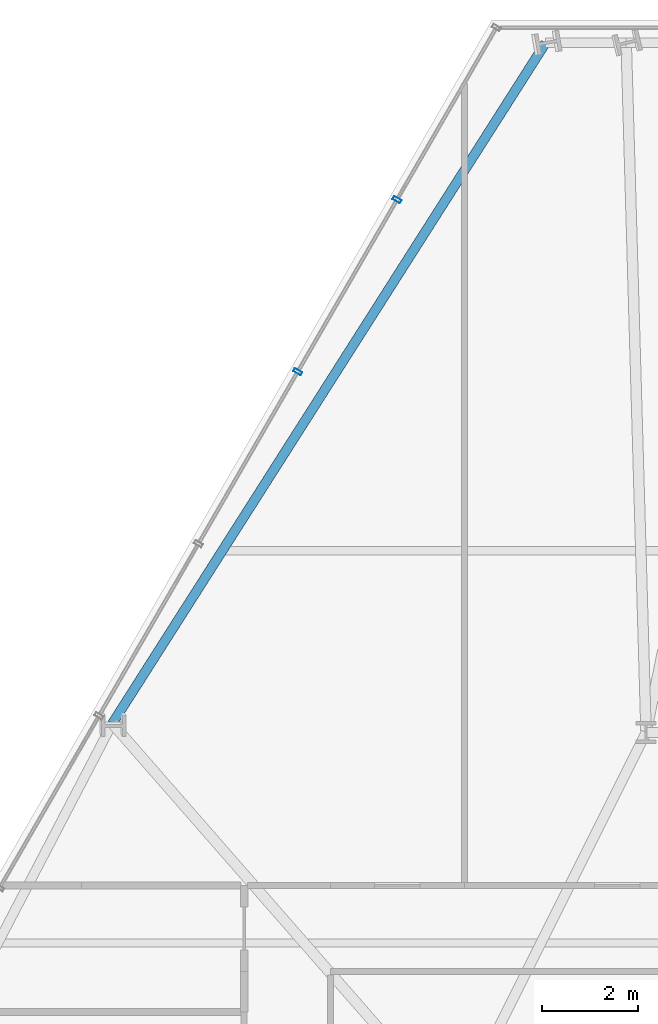
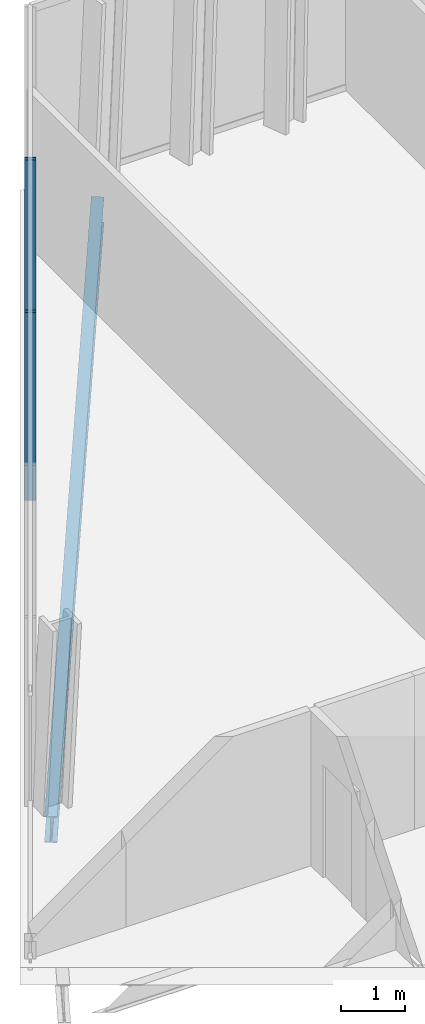
# One storey, part 22 of 32: 2 members, 1 beam, 1 element without a shape of its own.
"""IFC4 building model written with IfcOpenShell, lengths in metres."""

from ifc_helpers import new_model, si_unit, direction, frame, origin, origin_2d, place, context, subcontext, project, spatial, hollow_rectangle, i_section, extrude, material, layer, layer_set, material_profile, profile_set, type_object, element, aggregate, save


model = new_model("IFC4")

# Units and contexts
model_context = context("Model", 3, precision=1e-05, world=origin(), true_north=direction((0.0, 1.0)))
body_context = subcontext(model_context, "Body", "Model", "MODEL_VIEW")
ifc_project = project(units=[si_unit("LENGTHUNIT", "METRE"), si_unit("AREAUNIT", "SQUARE_METRE"), si_unit("VOLUMEUNIT", "CUBIC_METRE"), si_unit("PLANEANGLEUNIT", "RADIAN"), si_unit("MASSUNIT", "GRAM", prefix="KILO")], contexts=[model_context])

# Site, building, storey
site_placement = place(None, origin())
site = spatial("IfcSite", under=ifc_project, at=site_placement, CompositionType="ELEMENT")
building_placement = place(site_placement, origin())
building = spatial("IfcBuilding", under=site, at=building_placement, Name="Ndaravel Arena Tower", CompositionType="ELEMENT")
storey_placement = place(building_placement, frame((0.0, 0.0, 96.800048828125)))
storey = spatial("IfcBuildingStorey", under=building, at=storey_placement, Name="L22", CompositionType="ELEMENT", Elevation=96.800048828125)

# Beam
ifc_material_1 = material(Name="Steel S355", Category="steel")
ifc_material_profile_1 = material_profile(ifc_material_1, i_section(OverallWidth=0.199951171875, OverallDepth=0.5, WebThickness=0.01025390625, FlangeThickness=0.01611328125, FilletRadius=0.02099609375, at=origin_2d()), Name="IPE 500")
ifc_profile_set_1 = profile_set([ifc_material_profile_1], Name="Steel S355")
beam_type = type_object("IfcBeamType", Name="BM-SPAN-IPE500", PredefinedType="SPANDREL", material=ifc_profile_set_1)
beam_placement = place(storey_placement, frame((36.09912109375, 45.614013671875, -0.469970703125), z_axis=(-0.537017864552, -0.84357087026, 0.0), x_axis=(0.84357087026, -0.537017864552, 0.0)))
element("IfcBeam", 1, at=beam_placement, inside=storey, type_object=beam_type, Name="L22 Perimeter Spandrel Beam SP-18", PredefinedType="SPANDREL", context=body_context, shape_type="SweptSolid", body=[
    extrude(i_section(OverallWidth=0.199951171875, OverallDepth=0.5, WebThickness=0.01025390625, FlangeThickness=0.01611328125, FilletRadius=0.02099609375, at=origin_2d()), origin(), (0.0, 0.0, 1.0), 16.86474609375),
])

# Curtain wall, members
ifc_material_2 = material(Name="Aluminium", Category="aluminium")
ifc_layer = layer(ifc_material_2, 0.179931640625)
ifc_layer_set = layer_set([ifc_layer], Name="Aluminium")
curtain_wall_type = type_object("IfcCurtainWallType", Name="CW-SYS-03", PredefinedType="NOTDEFINED", material=ifc_layer_set)
curtain_wall_placement = place(storey_placement, origin())
curtain_wall = element("IfcCurtainWall", 2, at=curtain_wall_placement, inside=storey, type_object=curtain_wall_type, Name="L22 Faceted Crystal Curtain Wall CW-L22-E05", PredefinedType="NOTDEFINED")
ifc_material_3 = material(Name="Aluminium", Category="aluminium")
ifc_material_profile_2 = material_profile(ifc_material_3, hollow_rectangle(XDim=0.074951171875, YDim=0.179931640625, WallThickness=0.00390625, at=origin_2d()), Name="CW MULLION 75x180x4")
ifc_profile_set_2 = profile_set([ifc_material_profile_2], Name="Aluminium")
member_type = type_object("IfcMemberType", Name="MEM-CW-MUL180", PredefinedType="MULLION", material=ifc_profile_set_2)
member_1_placement = place(storey_placement, frame((32.994873046875, 42.33740234375, 0.0), z_axis=(0.0, 0.0, 1.0), x_axis=(-0.5, -0.866025403784, 0.0)))
member_1 = element("IfcMember", 3, at=member_1_placement, type_object=member_type, Name="CW-L22-E05 Mullion 01", PredefinedType="MULLION", context=body_context, shape_type="SweptSolid", body=[
    extrude(hollow_rectangle(XDim=0.074951171875, YDim=0.179931640625, WallThickness=0.00390625, at=origin_2d()), origin(), (0.0, 0.0, 1.0), 3.579833984375),
])
member_2_placement = place(storey_placement, frame((30.918212890625, 38.74072265625, 0.0), z_axis=(0.0, 0.0, 1.0), x_axis=(-0.5, -0.866025403784, 0.0)))
member_2 = element("IfcMember", 4, at=member_2_placement, type_object=member_type, Name="CW-L22-E05 Mullion 02", PredefinedType="MULLION", context=body_context, shape_type="SweptSolid", body=[
    extrude(hollow_rectangle(XDim=0.074951171875, YDim=0.179931640625, WallThickness=0.00390625, at=origin_2d()), origin(), (0.0, 0.0, 1.0), 3.579833984375),
])
aggregate(curtain_wall, [member_1, member_2])

save(model, "model.ifc")
